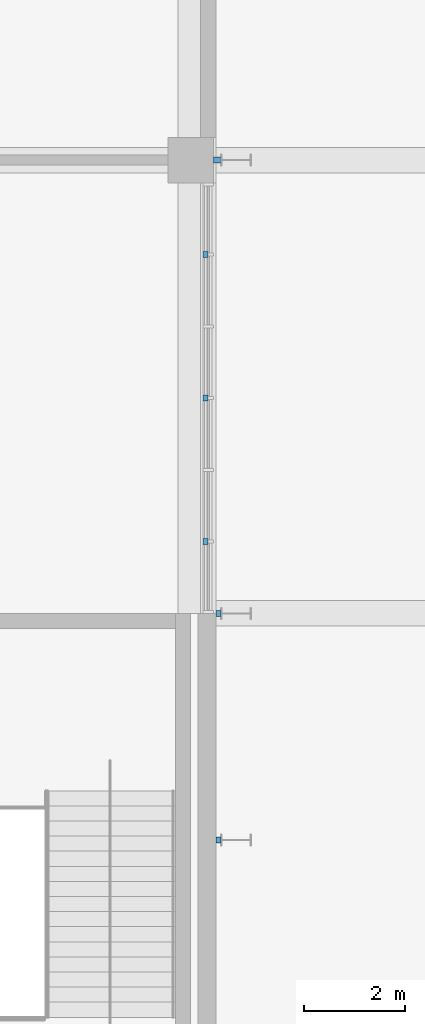
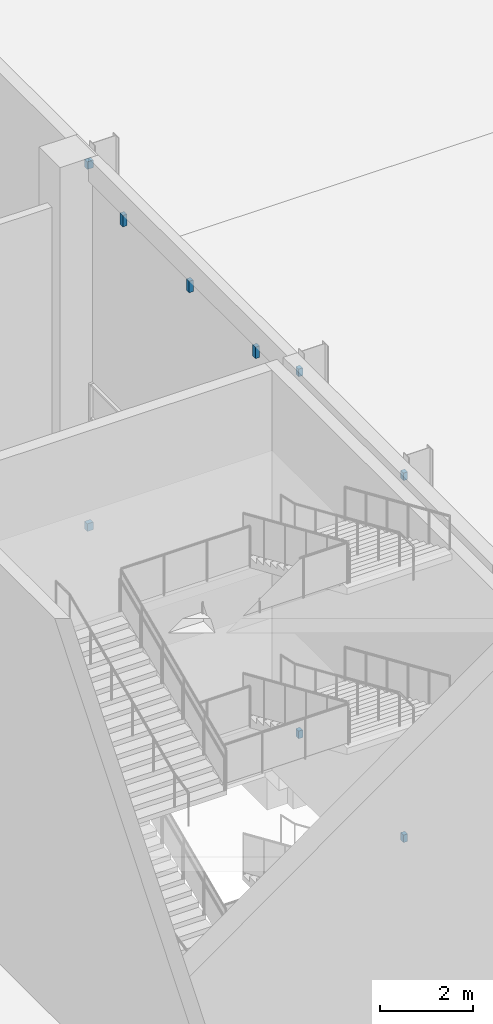
# One storey, part 126 of 182: 9 discrete accessories.
"""IFC4 building model written with IfcOpenShell, lengths in metres."""

from ifc_helpers import new_model, si_unit, direction, frame, origin, origin_2d, place, context, subcontext, project, spatial, rectangle, extrude, material, type_object, element, save


model = new_model("IFC4")

# Units and contexts
model_context = context("Model", 3, precision=1e-05, world=origin(), true_north=direction((0.0, 1.0)))
body_context = subcontext(model_context, "Body", "Model", "MODEL_VIEW")
ifc_project = project(units=[si_unit("LENGTHUNIT", "METRE"), si_unit("AREAUNIT", "SQUARE_METRE"), si_unit("VOLUMEUNIT", "CUBIC_METRE"), si_unit("PLANEANGLEUNIT", "RADIAN"), si_unit("MASSUNIT", "GRAM", prefix="KILO")], contexts=[model_context])

# Site, building, storey
site_placement = place(None, origin())
site = spatial("IfcSite", under=ifc_project, at=site_placement, CompositionType="ELEMENT")
building_placement = place(site_placement, origin())
building = spatial("IfcBuilding", under=site, at=building_placement, Name="Silverbay Arena", CompositionType="ELEMENT")
storey_placement = place(building_placement, frame((0.0, 0.0, 11.5)))
storey = spatial("IfcBuildingStorey", under=building, at=storey_placement, Name="L02", CompositionType="ELEMENT", Elevation=11.5)

# Discrete accessories
ifc_material = material(Name="Steel S355", Category="steel")
discrete_accessory_type = type_object("IfcDiscreteAccessoryType", Name="Steel bracket plate", PredefinedType="BRACKET", material=ifc_material)
for number, where, z_axis, x_axis, name in (
    (1, (207.300048828125, 109.425048828125, 9.60009765625), (0.0, 0.0, 1.0), (1.0, 0.0, 0.0), "Cladding hanger bracket"),
    (2, (207.300048828125, 112.27490234375, 9.60009765625), (0.0, 0.0, 1.0), (1.0, 0.0, 0.0), "Cladding hanger bracket"),
    (3, (207.300048828125, 115.125, 9.60009765625), (0.0, 0.0, 1.0), (1.0, 0.0, 0.0), "Cladding hanger bracket"),
):
    element("IfcDiscreteAccessory", number, at=place(storey_placement, frame(where, z_axis=z_axis, x_axis=x_axis)), inside=storey, type_object=discrete_accessory_type, Name=name, PredefinedType="BRACKET", context=body_context, shape_type="SweptSolid", body=[
        extrude(rectangle(XDim=0.10009765625, YDim=0.1201171875, at=origin_2d()), origin(), (0.0, 0.0, 1.0), 0.300048828125),
    ])
for number, where, z_axis, x_axis, name in (
    (4, (207.550048828125, 103.5, 0.39990234375), (0.0, 0.0, 1.0), (1.0, 0.0, 0.0), "Fin bracket"),
    (5, (207.550048828125, 103.5, 9.89990234375), (0.0, 0.0, 1.0), (1.0, 0.0, 0.0), "Fin bracket"),
    (6, (207.550048828125, 108.0, 0.39990234375), (0.0, 0.0, 1.0), (1.0, 0.0, 0.0), "Fin bracket"),
    (7, (207.550048828125, 108.0, 9.89990234375), (0.0, 0.0, 1.0), (1.0, 0.0, 0.0), "Fin bracket"),
):
    element("IfcDiscreteAccessory", number, at=place(storey_placement, frame(where, z_axis=z_axis, x_axis=x_axis)), inside=storey, type_object=discrete_accessory_type, Name=name, PredefinedType="BRACKET", context=body_context, shape_type="SweptSolid", body=[
        extrude(rectangle(XDim=0.10009765625, YDim=0.1201171875, at=origin_2d()), origin(), (0.0, 0.0, 1.0), 0.199951171875),
    ])
for number, where, z_axis, x_axis, name in (
    (8, (207.52490234375, 117.0, 0.39990234375), (0.0, 0.0, 1.0), (1.0, 0.0, 0.0), "Fin bracket"),
    (9, (207.52490234375, 117.0, 9.89990234375), (0.0, 0.0, 1.0), (1.0, 0.0, 0.0), "Fin bracket"),
):
    element("IfcDiscreteAccessory", number, at=place(storey_placement, frame(where, z_axis=z_axis, x_axis=x_axis)), inside=storey, type_object=discrete_accessory_type, Name=name, PredefinedType="BRACKET", context=body_context, shape_type="SweptSolid", body=[
        extrude(rectangle(XDim=0.14990234375, YDim=0.1201171875, at=origin_2d()), origin(), (0.0, 0.0, 1.0), 0.199951171875),
    ])

save(model, "model.ifc")
